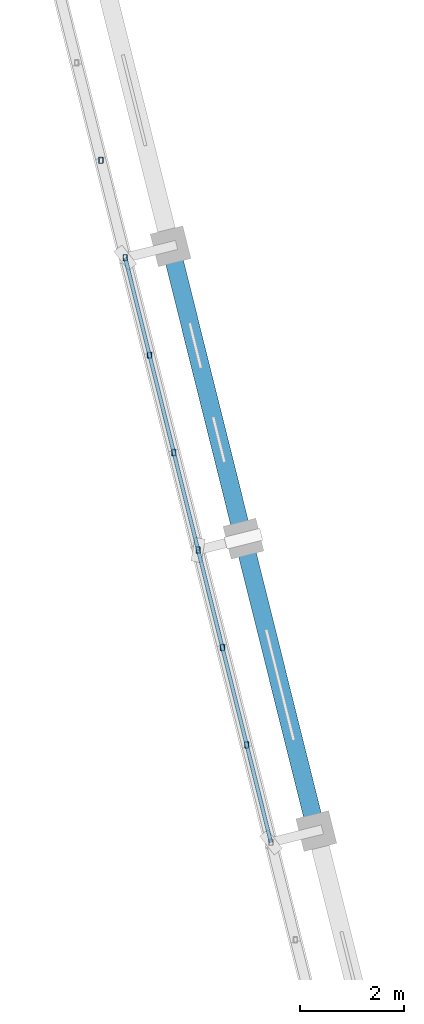
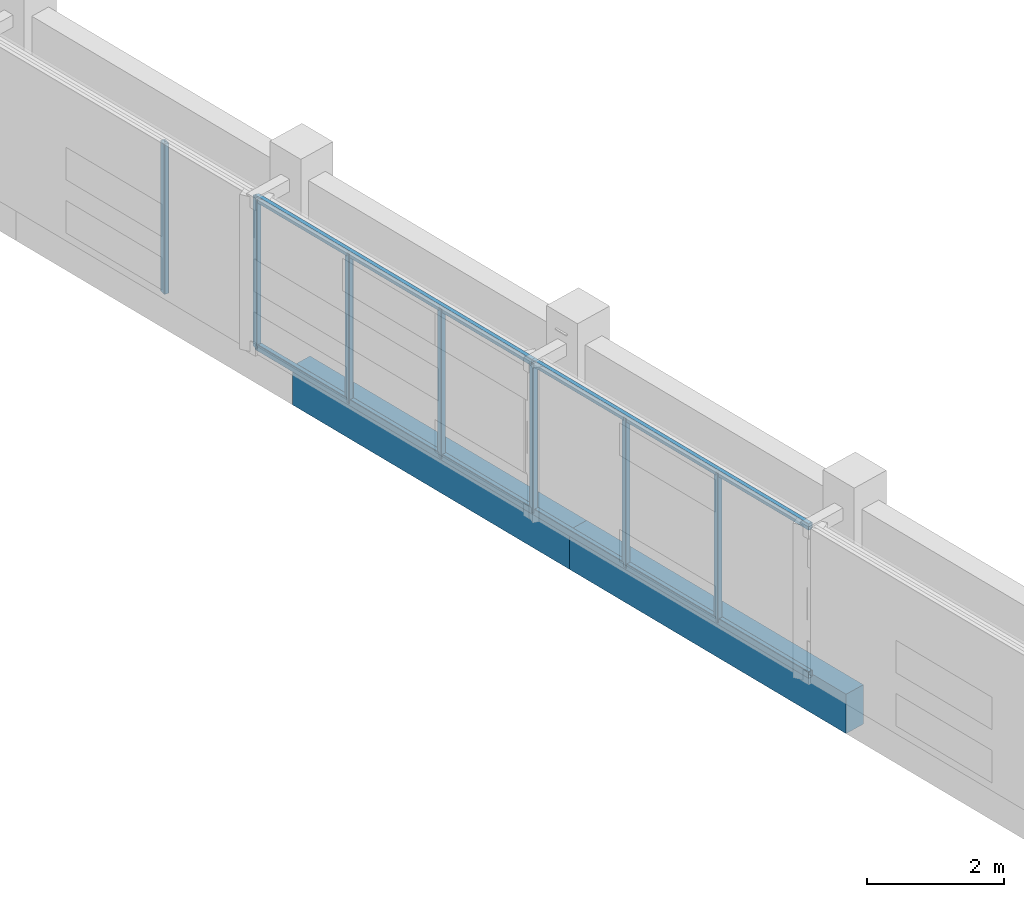
# One storey, part 16 of 117: 11 members, 2 beams.
"""IFC4 building model written with IfcOpenShell, lengths in metres."""

from ifc_helpers import new_model, si_unit, direction, frame, origin, origin_2d, place, context, subcontext, project, spatial, rectangle, hollow_rectangle, extrude, material, material_profile, profile_set, type_object, element, save


model = new_model("IFC4")

# Units and contexts
model_context = context("Model", 3, precision=1e-05, world=origin(), true_north=direction((0.0, 1.0)))
body_context = subcontext(model_context, "Body", "Model", "MODEL_VIEW")
ifc_project = project(units=[si_unit("LENGTHUNIT", "METRE"), si_unit("AREAUNIT", "SQUARE_METRE"), si_unit("VOLUMEUNIT", "CUBIC_METRE"), si_unit("PLANEANGLEUNIT", "RADIAN"), si_unit("MASSUNIT", "GRAM", prefix="KILO")], contexts=[model_context])

# Site, building, storey
site_placement = place(None, origin())
site = spatial("IfcSite", under=ifc_project, at=site_placement, CompositionType="ELEMENT")
building_placement = place(site_placement, origin())
building = spatial("IfcBuilding", under=site, at=building_placement, Name="Cinderway Yard Community Centre", CompositionType="ELEMENT")
storey_placement = place(building_placement, frame((0.0, 0.0, 9.0)))
storey = spatial("IfcBuildingStorey", under=building, at=storey_placement, Name="L02", CompositionType="ELEMENT", Elevation=9.0)

# Members
ifc_material_1 = material(Name="Steel S355", Category="steel")
ifc_material_profile_1 = material_profile(ifc_material_1, hollow_rectangle(XDim=0.080078125, YDim=0.1201171875, WallThickness=0.00634765625, InnerFilletRadius=0.00634765625, OuterFilletRadius=0.0126953125, at=origin_2d()), Name="Steel S355")
ifc_profile_set_1 = profile_set([ifc_material_profile_1], Name="Steel S355")
member_type = type_object("IfcMemberType", Name="ENV-MEM-SCREEN-RAIL-120", PredefinedType="STRINGER", material=ifc_profile_set_1)
for number, where, z_axis, x_axis, name in (
    (1, (16.1298828125, 36.154052734375, 0.7099609375), (-0.241862090534, 0.970310635396, 0.0), (-0.970310635396, -0.241862090534, 0.0), "Screen support rail 0867-BOT"),
    (2, (16.1298828125, 36.154052734375, 3.340087890625), (-0.241862090534, 0.970310635396, 0.0), (-0.970310635396, -0.241862090534, 0.0), "Screen support rail 0868-TOP"),
):
    element("IfcMember", number, at=place(storey_placement, frame(where, z_axis=z_axis, x_axis=x_axis)), inside=storey, type_object=member_type, Name=name, PredefinedType="STRINGER", context=body_context, shape_type="SweptSolid", body=[
        extrude(hollow_rectangle(XDim=0.080078125, YDim=0.1201171875, WallThickness=0.00634765625, InnerFilletRadius=0.00634765625, OuterFilletRadius=0.0126953125, at=origin_2d()), origin(), (0.0, 0.0, 1.0), 5.800048828125),
    ])
for number, where, z_axis, x_axis, name in (
    (3, (15.662109375, 38.030029296875, 0.68994140625), (0.0, 0.0, 1.0), (1.0, 0.0, 0.0), "Screen vertical mullion 0869"),
    (4, (15.195068359375, 39.906005859375, 0.68994140625), (0.0, 0.0, 1.0), (1.0, 0.0, 0.0), "Screen vertical mullion 0870"),
    (5, (14.72705078125, 41.781982421875, 0.68994140625), (0.0, 0.0, 1.0), (1.0, 0.0, 0.0), "Screen vertical mullion 0871"),
):
    element("IfcMember", number, at=place(storey_placement, frame(where, z_axis=z_axis, x_axis=x_axis)), inside=storey, type_object=member_type, Name=name, PredefinedType="STRINGER", context=body_context, shape_type="SweptSolid", body=[
        extrude(hollow_rectangle(XDim=0.080078125, YDim=0.1201171875, WallThickness=0.00634765625, InnerFilletRadius=0.00634765625, OuterFilletRadius=0.0126953125, at=origin_2d()), origin(), (0.0, 0.0, 1.0), 2.670166015625),
    ])
for number, where, z_axis, x_axis, name in (
    (6, (14.72705078125, 41.781982421875, 0.7099609375), (-0.2419017199, 0.97030075642, 0.0), (-0.97030075642, -0.2419017199, 0.0), "Screen support rail 0873-BOT"),
    (7, (14.72705078125, 41.781982421875, 3.340087890625), (-0.2419017199, 0.97030075642, 0.0), (-0.97030075642, -0.2419017199, 0.0), "Screen support rail 0874-TOP"),
):
    element("IfcMember", number, at=place(storey_placement, frame(where, z_axis=z_axis, x_axis=x_axis)), inside=storey, type_object=member_type, Name=name, PredefinedType="STRINGER", context=body_context, shape_type="SweptSolid", body=[
        extrude(hollow_rectangle(XDim=0.080078125, YDim=0.1201171875, WallThickness=0.00634765625, InnerFilletRadius=0.00634765625, OuterFilletRadius=0.0126953125, at=origin_2d()), origin(), (0.0, 0.0, 1.0), 5.80029296875),
    ])
for number, where, z_axis, x_axis, name in (
    (8, (14.259033203125, 43.657958984375, 0.68994140625), (0.0, 0.0, 1.0), (1.0, 0.0, 0.0), "Screen vertical mullion 0875"),
    (9, (13.7919921875, 45.533935546875, 0.68994140625), (0.0, 0.0, 1.0), (1.0, 0.0, 0.0), "Screen vertical mullion 0876"),
    (10, (13.323974609375, 47.409912109375, 0.68994140625), (0.0, 0.0, 1.0), (1.0, 0.0, 0.0), "Screen vertical mullion 0877"),
    (11, (12.85595703125, 49.285888671875, 0.68994140625), (0.0, 0.0, 1.0), (1.0, 0.0, 0.0), "Screen vertical mullion 0881"),
):
    element("IfcMember", number, at=place(storey_placement, frame(where, z_axis=z_axis, x_axis=x_axis)), inside=storey, type_object=member_type, Name=name, PredefinedType="STRINGER", context=body_context, shape_type="SweptSolid", body=[
        extrude(hollow_rectangle(XDim=0.080078125, YDim=0.1201171875, WallThickness=0.00634765625, InnerFilletRadius=0.00634765625, OuterFilletRadius=0.0126953125, at=origin_2d()), origin(), (0.0, 0.0, 1.0), 2.670166015625),
    ])

# Beams
ifc_material_2 = material(Name="Concrete C35/45", Category="concrete")
ifc_material_profile_2 = material_profile(ifc_material_2, rectangle(XDim=0.35009765625, YDim=0.699951171875, at=origin_2d()), Name="Concrete C35/45")
ifc_profile_set_2 = profile_set([ifc_material_profile_2], Name="Concrete C35/45")
beam_type = type_object("IfcBeamType", Name="STR-BM-RC350X700", PredefinedType="BEAM", material=ifc_profile_set_2)
beam_1_placement = place(storey_placement, frame((17.0029296875, 36.3720703125, -0.35009765625), z_axis=(-0.241862090534, 0.970310635396, 0.0), x_axis=(-0.970310635396, -0.241862090534, 0.0)))
element("IfcBeam", 12, at=beam_1_placement, inside=storey, type_object=beam_type, Name="Main Hall west ring beam STR-BM-L02-BG07-0389", PredefinedType="BEAM", context=body_context, shape_type="SweptSolid", body=[
    extrude(rectangle(XDim=0.35009765625, YDim=0.699951171875, at=origin_2d()), origin(), (0.0, 0.0, 1.0), 5.800048828125),
])
beam_2_placement = place(storey_placement, frame((15.60009765625, 42.0, -0.35009765625), z_axis=(-0.2419017199, 0.97030075642, 0.0), x_axis=(-0.97030075642, -0.2419017199, 0.0)))
element("IfcBeam", 13, at=beam_2_placement, inside=storey, type_object=beam_type, Name="Main Hall west ring beam STR-BM-L02-BG07-0390", PredefinedType="BEAM", context=body_context, shape_type="SweptSolid", body=[
    extrude(rectangle(XDim=0.35009765625, YDim=0.699951171875, at=origin_2d()), origin(), (0.0, 0.0, 1.0), 5.80029296875),
])

save(model, "model.ifc")
